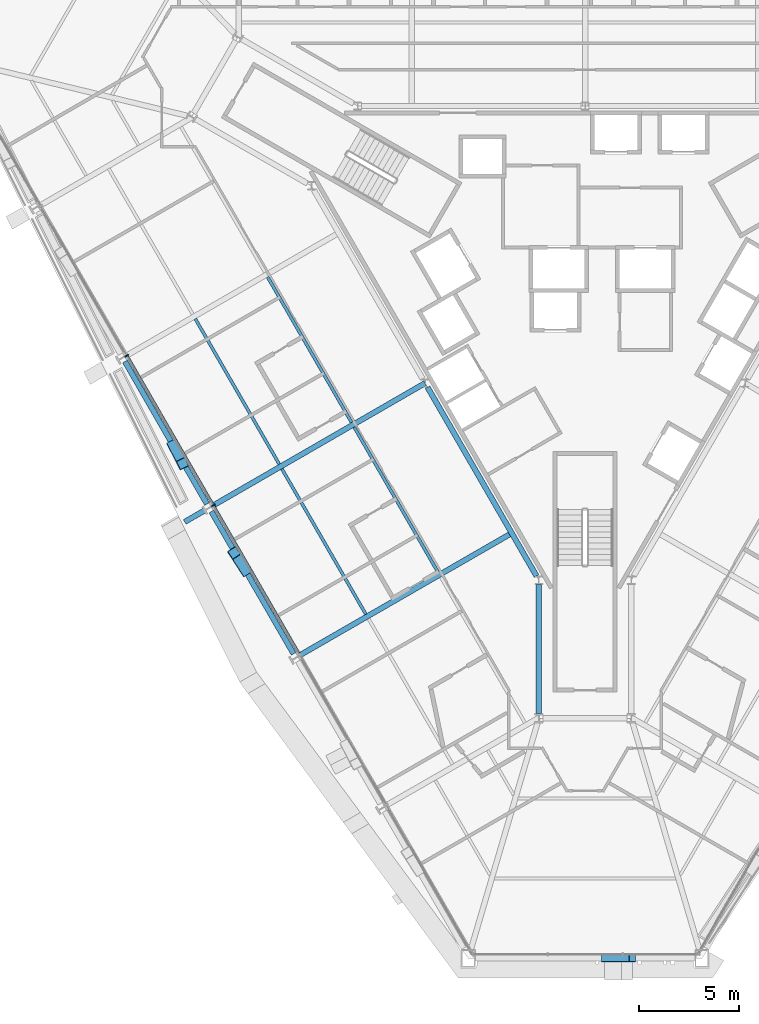
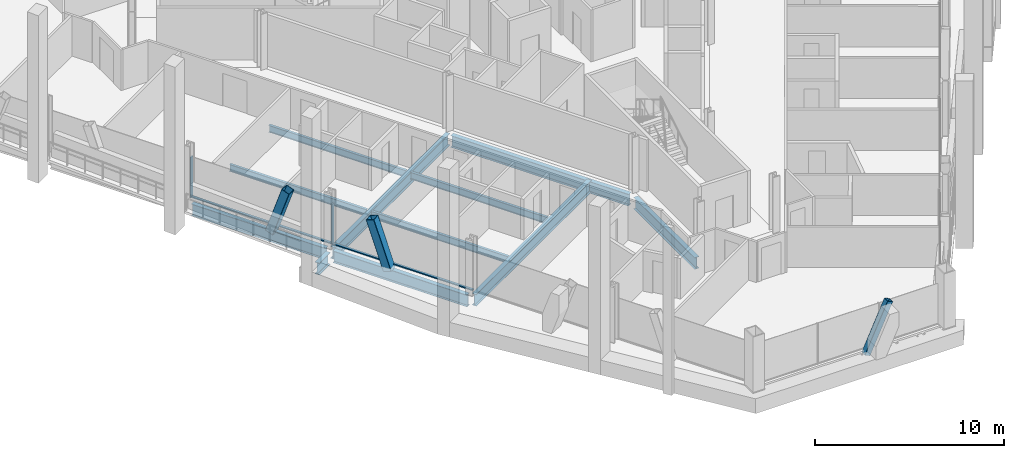
# One storey, part 4 of 19: 11 beams, 7 members, 1 element without a shape of its own.
"""IFC4 building model written with IfcOpenShell, lengths in metres."""

from ifc_helpers import new_model, si_unit, direction, frame, origin, origin_2d, place, context, subcontext, project, spatial, rectangle, hollow_rectangle, i_section, extrude, material, material_profile, profile_set, type_object, element, aggregate, save


model = new_model("IFC4")

# Units and contexts
model_context = context("Model", 3, precision=1e-05, world=origin(), true_north=direction((0.0, 1.0)))
body_context = subcontext(model_context, "Body", "Model", "MODEL_VIEW")
ifc_project = project(units=[si_unit("LENGTHUNIT", "METRE"), si_unit("AREAUNIT", "SQUARE_METRE"), si_unit("VOLUMEUNIT", "CUBIC_METRE"), si_unit("PLANEANGLEUNIT", "RADIAN"), si_unit("MASSUNIT", "GRAM", prefix="KILO")], contexts=[model_context])

# Site, building, storey
site_placement = place(None, origin())
site = spatial("IfcSite", under=ifc_project, at=site_placement, CompositionType="ELEMENT")
building_placement = place(site_placement, origin())
building = spatial("IfcBuilding", under=site, at=building_placement, Name="Verrane Prism Tower", CompositionType="ELEMENT")
storey_placement = place(building_placement, frame((0.0, 0.0, 76.39990234375)))
storey = spatial("IfcBuildingStorey", under=building, at=storey_placement, Name="L17", CompositionType="ELEMENT", Elevation=76.39990234375)

# Member
ifc_material_1 = material(Name="Steel A500 Grade C", Category="steel")
ifc_material_profile_1 = material_profile(ifc_material_1, hollow_rectangle(XDim=0.355712890625, YDim=0.355712890625, WallThickness=0.0126953125, InnerFilletRadius=0.00634765625, OuterFilletRadius=0.01904296875, at=origin_2d()), Name="HSS14x14x1/2")
ifc_profile_set_1 = profile_set([ifc_material_profile_1], Name="Steel A500 Grade C")
member_type_1 = type_object("IfcMemberType", Name="Chamfer brace HSS14x14x1/2", PredefinedType="BRACE", material=ifc_profile_set_1)
member_1_placement = place(storey_placement, frame((0.96923828125, -33.260009765625, -0.2451171875), z_axis=(0.419338962351, 0.0, 0.907829738803), x_axis=(0.0, 1.0, 0.0)))
element("IfcMember", 1, at=member_1_placement, inside=storey, type_object=member_type_1, Name="Chamfer brace S0 L17", PredefinedType="BRACE", context=body_context, shape_type="SweptSolid", body=[
    extrude(hollow_rectangle(XDim=0.355712890625, YDim=0.355712890625, WallThickness=0.0126953125, InnerFilletRadius=0.00634765625, OuterFilletRadius=0.01904296875, at=origin_2d()), origin(), (0.0, 0.0, 1.0), 3.30810546875),
])

# Beams
ifc_material_2 = material(Name="Steel A992", Category="steel")
ifc_material_profile_2 = material_profile(ifc_material_2, i_section(OverallWidth=0.2666015625, OverallDepth=0.7568359375, WebThickness=0.013916015625, FlangeThickness=0.019287109375, FilletRadius=0.0166015625, at=origin_2d()), Name="W30x108")
ifc_profile_set_2 = profile_set([ifc_material_profile_2], Name="Steel A992")
beam_type_1 = type_object("IfcBeamType", Name="Core ring girder W30x108", PredefinedType="BEAM", material=ifc_profile_set_2)
beam_1_placement = place(storey_placement, frame((-7.849609375, -4.808349609375, -0.62841796875), z_axis=(0.500013103396, -0.866017838403, 0.0), x_axis=(0.866017838403, 0.500013103396, 0.0)))
element("IfcBeam", 2, at=beam_1_placement, inside=storey, type_object=beam_type_1, Name="Core ring girder L17", PredefinedType="BEAM", context=body_context, shape_type="SweptSolid", body=[
    extrude(i_section(OverallWidth=0.2666015625, OverallDepth=0.7568359375, WebThickness=0.013916015625, FlangeThickness=0.019287109375, FilletRadius=0.0166015625, at=origin_2d()), origin(), (0.0, 0.0, 1.0), 10.858154296875),
])
beam_2_placement = place(storey_placement, frame((-2.300048828125, -14.62841796875, -0.62841796875), z_axis=(0.0, -1.0, 0.0), x_axis=(1.0, 0.0, 0.0)))
element("IfcBeam", 3, at=beam_2_placement, inside=storey, type_object=beam_type_1, Name="Core ring girder L17", PredefinedType="BEAM", context=body_context, shape_type="SweptSolid", body=[
    extrude(i_section(OverallWidth=0.2666015625, OverallDepth=0.7568359375, WebThickness=0.013916015625, FlangeThickness=0.019287109375, FilletRadius=0.0166015625, at=origin_2d()), origin(), (0.0, 0.0, 1.0), 6.4443359375),
])

# Members
ifc_material_3 = material(Name="Steel A1085 Grade A", Category="steel")
ifc_material_profile_3 = material_profile(ifc_material_3, hollow_rectangle(XDim=0.508056640625, YDim=0.508056640625, WallThickness=0.025390625, InnerFilletRadius=0.0126953125, OuterFilletRadius=0.0380859375, at=origin_2d()), Name="HSS20x20x1")
ifc_profile_set_3 = profile_set([ifc_material_profile_3], Name="Steel A1085 Grade A")
member_type_2 = type_object("IfcMemberType", Name="Facade brace HSS20x20x1", PredefinedType="BRACE", material=ifc_profile_set_3)
member_2_placement = place(storey_placement, frame((-20.5205078125, -7.699951171875, -0.242431640625), z_axis=(0.147378112413, -0.287921075266, 0.946245817111), x_axis=(0.890160824232, 0.455646471513, 0.0)))
element("IfcMember", 4, at=member_2_placement, inside=storey, type_object=member_type_2, Name="Facade brace SW2 L17", PredefinedType="BRACE", context=body_context, shape_type="SweptSolid", body=[
    extrude(hollow_rectangle(XDim=0.508056640625, YDim=0.508056640625, WallThickness=0.025390625, InnerFilletRadius=0.0126953125, OuterFilletRadius=0.0380859375, at=origin_2d()), origin(), (0.0, 0.0, 1.0), 3.178955078125),
])
member_3_placement = place(storey_placement, frame((-16.92724609375, -13.925048828125, -0.242431640625), z_axis=(-0.175493454399, 0.271573240593, 0.946282210789), x_axis=(-0.839895013183, -0.542748898507, 0.0)))
element("IfcMember", 5, at=member_3_placement, inside=storey, type_object=member_type_2, Name="Facade brace SW3 L17", PredefinedType="BRACE", context=body_context, shape_type="SweptSolid", body=[
    extrude(hollow_rectangle(XDim=0.508056640625, YDim=0.508056640625, WallThickness=0.025390625, InnerFilletRadius=0.0126953125, OuterFilletRadius=0.0380859375, at=origin_2d()), origin(), (0.0, 0.0, 1.0), 3.1787109375),
])

# Beams
ifc_material_4 = material(Name="Steel A992", Category="steel")
ifc_material_profile_4 = material_profile(ifc_material_4, i_section(OverallWidth=0.15234375, OverallDepth=0.449462890625, WebThickness=0.007568359375, FlangeThickness=0.0107421875, FilletRadius=0.01025390625, at=origin_2d()), Name="W18x35")
ifc_profile_set_4 = profile_set([ifc_material_profile_4], Name="Steel A992")
beam_type_2 = type_object("IfcBeamType", Name="Floor beam W18x35", PredefinedType="BEAM", material=ifc_profile_set_4)
beam_3_placement = place(storey_placement, frame((-11.632568359375, -6.56201171875, -0.384765625), z_axis=(-0.499990225416, 0.86603104707, 0.0), x_axis=(-0.86603104707, -0.499990225416, 0.0)))
element("IfcBeam", 6, at=beam_3_placement, inside=storey, type_object=beam_type_2, Name="Floor beam L17", PredefinedType="BEAM", context=body_context, shape_type="SweptSolid", body=[
    extrude(i_section(OverallWidth=0.15234375, OverallDepth=0.449462890625, WebThickness=0.007568359375, FlangeThickness=0.0107421875, FilletRadius=0.01025390625, at=origin_2d()), origin(), (0.0, 0.0, 1.0), 8.365966796875),
])
beam_4_placement = place(storey_placement, frame((-15.234619140625, -8.64306640625, -0.384765625), z_axis=(-0.500002862074, 0.866023751359, 0.0), x_axis=(-0.866023751359, -0.500002862074, 0.0)))
element("IfcBeam", 7, at=beam_4_placement, inside=storey, type_object=beam_type_2, Name="Floor beam L17", PredefinedType="BEAM", context=body_context, shape_type="SweptSolid", body=[
    extrude(i_section(OverallWidth=0.15234375, OverallDepth=0.449462890625, WebThickness=0.007568359375, FlangeThickness=0.0107421875, FilletRadius=0.01025390625, at=origin_2d()), origin(), (0.0, 0.0, 1.0), 8.36572265625),
])
beam_5_placement = place(storey_placement, frame((-7.318603515625, -14.0419921875, -0.384765625), z_axis=(-0.499989320658, 0.866031569417, 0.0), x_axis=(-0.866031569417, -0.499989320658, 0.0)))
element("IfcBeam", 8, at=beam_5_placement, inside=storey, type_object=beam_type_2, Name="Floor beam L17", PredefinedType="BEAM", context=body_context, shape_type="SweptSolid", body=[
    extrude(i_section(OverallWidth=0.15234375, OverallDepth=0.449462890625, WebThickness=0.007568359375, FlangeThickness=0.0107421875, FilletRadius=0.01025390625, at=origin_2d()), origin(), (0.0, 0.0, 1.0), 8.367919921875),
])
beam_6_placement = place(storey_placement, frame((-10.92041015625, -16.119873046875, -0.384765625), z_axis=(-0.499984359078, 0.866034433887, 0.0), x_axis=(-0.866034433887, -0.499984359078, 0.0)))
element("IfcBeam", 9, at=beam_6_placement, inside=storey, type_object=beam_type_2, Name="Floor beam L17", PredefinedType="BEAM", context=body_context, shape_type="SweptSolid", body=[
    extrude(i_section(OverallWidth=0.15234375, OverallDepth=0.449462890625, WebThickness=0.007568359375, FlangeThickness=0.0107421875, FilletRadius=0.01025390625, at=origin_2d()), origin(), (0.0, 0.0, 1.0), 8.364990234375),
])

# Curtain wall, members
ifc_material_5 = material(Name="Aluminium framed insulated glazing", Category="aluminium")
curtain_wall_type = type_object("IfcCurtainWallType", Name="Curtain wall CW-A 8400 module", PredefinedType="NOTDEFINED", material=ifc_material_5)
curtain_wall_placement = place(storey_placement, origin())
curtain_wall = element("IfcCurtainWall", 10, at=curtain_wall_placement, inside=storey, type_object=curtain_wall_type, Name="Glazed curtain wall south-west face L17", PredefinedType="NOTDEFINED")
ifc_material_6 = material(Name="Aluminium alloy 6063-T6", Category="aluminium")
ifc_material_profile_5 = material_profile(ifc_material_6, rectangle(XDim=0.199951171875, YDim=0.070068359375, at=origin_2d()), Name="Mullion 70x200 aluminium")
ifc_profile_set_5 = profile_set([ifc_material_profile_5], Name="Aluminium alloy 6063-T6")
member_type_3 = type_object("IfcMemberType", Name="Mullion 70x200 aluminium", PredefinedType="MULLION", material=ifc_profile_set_5)
member_4_placement = place(storey_placement, frame((-22.828857421875, -3.2412109375, 0.0), z_axis=(0.0, 0.0, 1.0), x_axis=(0.866025845387, 0.499999235121, 0.0)))
member_4 = element("IfcMember", 11, at=member_4_placement, type_object=member_type_3, Name="CW17.4 mullion 3", PredefinedType="MULLION", context=body_context, shape_type="SweptSolid", body=[
    extrude(rectangle(XDim=0.199951171875, YDim=0.070068359375, at=origin_2d()), origin(), (0.0, 0.0, 1.0), 2.613037109375),
])
member_5_placement = place(storey_placement, frame((-18.525146484375, -10.695556640625, 0.0), z_axis=(0.0, 0.0, 1.0), x_axis=(0.866025845387, 0.499999235121, 0.0)))
member_5 = element("IfcMember", 12, at=member_5_placement, type_object=member_type_3, Name="CW17.4 mullion 4", PredefinedType="MULLION", context=body_context, shape_type="SweptSolid", body=[
    extrude(rectangle(XDim=0.199951171875, YDim=0.070068359375, at=origin_2d()), origin(), (0.0, 0.0, 1.0), 2.613037109375),
])

# Beams
ifc_material_7 = material(Name="Steel A992", Category="steel")
ifc_material_profile_6 = material_profile(ifc_material_7, i_section(OverallWidth=0.2666015625, OverallDepth=0.76708984375, WebThickness=0.014892578125, FlangeThickness=0.023681640625, FilletRadius=0.0166015625, at=origin_2d()), Name="W30x124")
ifc_profile_set_6 = profile_set([ifc_material_profile_6], Name="Steel A992")
beam_type_3 = type_object("IfcBeamType", Name="Radial girder W30x124", PredefinedType="BEAM", material=ifc_profile_set_6)
beam_7_placement = place(storey_placement, frame((-18.510498046875, -10.690185546875, -0.603515625), z_axis=(0.866026613699, 0.499997904361, 0.0), x_axis=(-0.499997904361, 0.866026613699, 0.0)))
element("IfcBeam", 13, at=beam_7_placement, inside=storey, type_object=beam_type_3, Name="Radial girder L17", PredefinedType="BEAM", context=body_context, shape_type="SweptSolid", body=[
    extrude(i_section(OverallWidth=0.2666015625, OverallDepth=0.76708984375, WebThickness=0.014892578125, FlangeThickness=0.023681640625, FilletRadius=0.0166015625, at=origin_2d()), origin(), (0.0, 0.0, 1.0), 12.17333984375),
])
beam_8_placement = place(storey_placement, frame((-14.1953125, -18.15185546875, -0.603515625), z_axis=(0.866415987779, 0.499322877626, 0.0), x_axis=(-0.499322877626, 0.866415987779, 0.0)))
element("IfcBeam", 14, at=beam_8_placement, inside=storey, type_object=beam_type_3, Name="Radial girder L17", PredefinedType="BEAM", context=body_context, shape_type="SweptSolid", body=[
    extrude(i_section(OverallWidth=0.2666015625, OverallDepth=0.76708984375, WebThickness=0.014892578125, FlangeThickness=0.023681640625, FilletRadius=0.0166015625, at=origin_2d()), origin(), (0.0, 0.0, 1.0), 12.167236328125),
])
beam_9_placement = place(storey_placement, frame((-18.93798828125, -10.93701171875, -0.603515625), z_axis=(-0.866024722723, -0.500001179632, 0.0), x_axis=(0.500001179632, -0.866024722723, 0.0)))
element("IfcBeam", 15, at=beam_9_placement, inside=storey, type_object=beam_type_3, Name="Cantilever girder L17", PredefinedType="BEAM", context=body_context, shape_type="SweptSolid", body=[
    extrude(i_section(OverallWidth=0.2666015625, OverallDepth=0.76708984375, WebThickness=0.014892578125, FlangeThickness=0.023681640625, FilletRadius=0.0166015625, at=origin_2d()), origin(), (0.0, 0.0, 1.0), 1.16259765625),
])
ifc_material_8 = material(Name="Steel A992", Category="steel")
ifc_material_profile_7 = material_profile(ifc_material_8, i_section(OverallWidth=0.2666015625, OverallDepth=0.7568359375, WebThickness=0.013916015625, FlangeThickness=0.019287109375, FilletRadius=0.0166015625, at=origin_2d()), Name="W30x108")
ifc_profile_set_7 = profile_set([ifc_material_profile_7], Name="Steel A992")
beam_type_4 = type_object("IfcBeamType", Name="Spandrel beam W30x108", PredefinedType="SPANDREL", material=ifc_profile_set_7)
beam_10_placement = place(storey_placement, frame((-22.923095703125, -3.530029296875, -0.538330078125), z_axis=(0.499236428345, -0.866465803488, 0.0), x_axis=(0.866465803488, 0.499236428345, 0.0)))
element("IfcBeam", 16, at=beam_10_placement, inside=storey, type_object=beam_type_4, Name="Spandrel beam L17", PredefinedType="SPANDREL", context=body_context, shape_type="SweptSolid", body=[
    extrude(i_section(OverallWidth=0.2666015625, OverallDepth=0.7568359375, WebThickness=0.013916015625, FlangeThickness=0.019287109375, FilletRadius=0.0166015625, at=origin_2d()), origin(), (0.0, 0.0, 1.0), 8.191162109375),
])
beam_11_placement = place(storey_placement, frame((-18.617919921875, -11.00146484375, -0.538330078125), z_axis=(0.500624815953, -0.865664365474, 0.0), x_axis=(0.865664365474, 0.500624815953, 0.0)))
element("IfcBeam", 17, at=beam_11_placement, inside=storey, type_object=beam_type_4, Name="Spandrel beam L17", PredefinedType="SPANDREL", context=body_context, shape_type="SweptSolid", body=[
    extrude(i_section(OverallWidth=0.2666015625, OverallDepth=0.7568359375, WebThickness=0.013916015625, FlangeThickness=0.019287109375, FilletRadius=0.0166015625, at=origin_2d()), origin(), (0.0, 0.0, 1.0), 8.1875),
])

# Member
ifc_material_9 = material(Name="Aluminium alloy 6063-T6", Category="aluminium")
ifc_material_profile_8 = material_profile(ifc_material_9, rectangle(XDim=0.14990234375, YDim=0.070068359375, at=origin_2d()), Name="Transom 70x150 aluminium")
ifc_profile_set_8 = profile_set([ifc_material_profile_8], Name="Aluminium alloy 6063-T6")
member_type_4 = type_object("IfcMemberType", Name="Transom 70x150 aluminium", PredefinedType="USERDEFINED", material=ifc_profile_set_8)
member_6_placement = place(storey_placement, frame((-22.811279296875, -3.271484375, 0.03515625), z_axis=(0.499998865407, -0.866026058841, 0.0), x_axis=(0.866026058841, 0.499998865407, 0.0)))
member_6 = element("IfcMember", 18, at=member_6_placement, type_object=member_type_4, Name="CW17.4 transom 3", ObjectType="TRANSOM", PredefinedType="USERDEFINED", context=body_context, shape_type="SweptSolid", body=[
    extrude(rectangle(XDim=0.14990234375, YDim=0.070068359375, at=origin_2d()), origin(), (0.0, 0.0, 1.0), 8.53759765625),
])

member_7_placement = place(storey_placement, frame((-18.507568359375, -10.725830078125, 0.03515625), z_axis=(0.50001124802, -0.866018909639, 0.0), x_axis=(0.866018909639, 0.50001124802, 0.0)))
member_7 = element("IfcMember", 19, at=member_7_placement, type_object=member_type_4, Name="CW17.4 transom 4", ObjectType="TRANSOM", PredefinedType="USERDEFINED", context=body_context, shape_type="SweptSolid", body=[
    extrude(rectangle(XDim=0.14990234375, YDim=0.070068359375, at=origin_2d()), origin(), (0.0, 0.0, 1.0), 8.537353515625),
])

aggregate(curtain_wall, [member_4, member_5, member_6, member_7])

save(model, "model.ifc")
